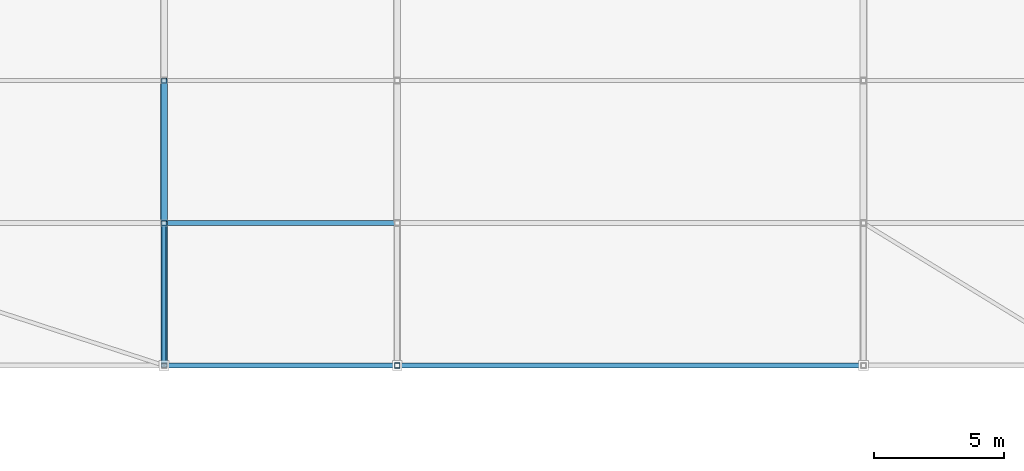
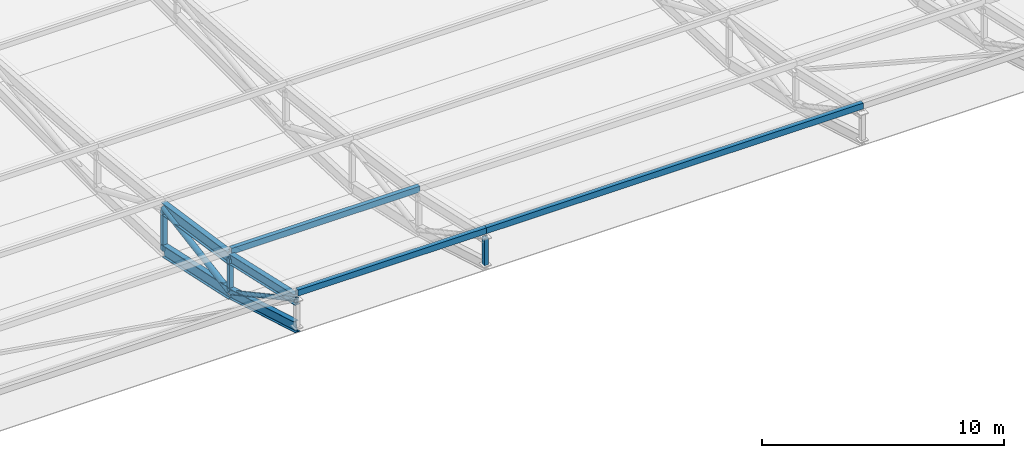
# One storey, part 33 of 114: 8 members, 4 beams.
"""IFC4 building model written with IfcOpenShell, lengths in metres."""

from ifc_helpers import new_model, si_unit, direction, frame, origin, origin_2d, place, context, subcontext, project, spatial, hollow_rectangle, hollow_circle, i_section, extrude, material, material_profile, profile_set, type_object, element, save


model = new_model("IFC4")

# Units and contexts
model_context = context("Model", 3, precision=1e-05, world=origin(), true_north=direction((0.0, 1.0)))
body_context = subcontext(model_context, "Body", "Model", "MODEL_VIEW")
ifc_project = project(units=[si_unit("LENGTHUNIT", "METRE"), si_unit("AREAUNIT", "SQUARE_METRE"), si_unit("VOLUMEUNIT", "CUBIC_METRE"), si_unit("PLANEANGLEUNIT", "RADIAN"), si_unit("MASSUNIT", "GRAM", prefix="KILO"), si_unit("THERMODYNAMICTEMPERATUREUNIT", "KELVIN"), si_unit("POWERUNIT", "WATT")], contexts=[model_context])

# Site, building, storey
site_placement = place(None, origin())
site = spatial("IfcSite", under=ifc_project, at=site_placement, CompositionType="ELEMENT")
building_placement = place(site_placement, origin())
building = spatial("IfcBuilding", under=site, at=building_placement, Name="Sindhuravela Promenade Stadium", CompositionType="ELEMENT")
storey_placement = place(building_placement, frame((0.0, 0.0, 24.0)))
storey = spatial("IfcBuildingStorey", under=building, at=storey_placement, Name="L05", CompositionType="ELEMENT", Elevation=24.0)

# Beams
ifc_material = material(Name="Steel E350 (IS 2062 E350BR)", Category="steel")
ifc_material_profile_1 = material_profile(ifc_material, i_section(OverallWidth=0.25, OverallDepth=0.5, WebThickness=0.010009765625, FlangeThickness=0.0146484375, FilletRadius=0.014892578125, at=origin_2d()), Name="ISWB 500")
ifc_profile_set_1 = profile_set([ifc_material_profile_1], Name="Steel E350 (IS 2062 E350BR)")
beam_type_1 = type_object("IfcBeamType", Name="ST-BM-WB500", PredefinedType="USERDEFINED", material=ifc_profile_set_1)
beam_1_placement = place(storey_placement, frame((72.0, 124.0, 3.169189453125), z_axis=(0.0, -0.9758669805330386, 0.2183658313595103), x_axis=(1.0, 0.0, 0.0)))
element("IfcBeam", 1, at=beam_1_placement, inside=storey, type_object=beam_type_1, Name="Roof truss RT-N02 top chord 5", ObjectType="ROOF TRUSS", PredefinedType="USERDEFINED", context=body_context, shape_type="SweptSolid", body=[
    extrude(i_section(OverallWidth=0.25, OverallDepth=0.5, WebThickness=0.010009765625, FlangeThickness=0.0146484375, FilletRadius=0.014892578125, at=origin_2d()), origin(), (0.0, 0.0, 1.0), 5.635986328125),
])
beam_2_placement = place(storey_placement, frame((72.0, 124.0, 1.419189453125), z_axis=(0.0, -0.9599274278129861, 0.28024869907342015), x_axis=(1.0, 0.0, 0.0)))
element("IfcBeam", 2, at=beam_2_placement, inside=storey, type_object=beam_type_1, Name="Roof truss RT-N02 bottom chord 5", ObjectType="ROOF TRUSS", PredefinedType="USERDEFINED", context=body_context, shape_type="SweptSolid", body=[
    extrude(i_section(OverallWidth=0.25, OverallDepth=0.5, WebThickness=0.010009765625, FlangeThickness=0.0146484375, FilletRadius=0.014892578125, at=origin_2d()), origin(), (0.0, 0.0, 1.0), 5.7294921875),
])
ifc_material_profile_2 = material_profile(ifc_material, i_section(OverallWidth=0.25, OverallDepth=0.60009765625, WebThickness=0.01171875, FlangeThickness=0.023681640625, FilletRadius=0.01708984375, at=origin_2d()), Name="ISWB 600")
ifc_profile_set_2 = profile_set([ifc_material_profile_2], Name="Steel E350 (IS 2062 E350BR)")
beam_type_2 = type_object("IfcBeamType", Name="ST-BM-WB600", PredefinedType="USERDEFINED", material=ifc_profile_set_2)
beam_3_placement = place(storey_placement, frame((72.0, 129.5, 2.3525390625), z_axis=(0.0, -0.9891555530237203, 0.14687168523012892), x_axis=(1.0, 0.0, 0.0)))
element("IfcBeam", 3, at=beam_3_placement, inside=storey, type_object=beam_type_2, Name="Roof truss RT-N02 top chord 4", ObjectType="ROOF TRUSS", PredefinedType="USERDEFINED", context=body_context, shape_type="SweptSolid", body=[
    extrude(i_section(OverallWidth=0.25, OverallDepth=0.60009765625, WebThickness=0.01171875, FlangeThickness=0.023681640625, FilletRadius=0.01708984375, at=origin_2d()), origin(), (0.0, 0.0, 1.0), 5.560302734375),
])
beam_4_placement = place(storey_placement, frame((72.0, 129.5, 0.2275390625), z_axis=(0.0, -0.9773237385626684, 0.21175058451368894), x_axis=(1.0, 0.0, 0.0)))
element("IfcBeam", 4, at=beam_4_placement, inside=storey, type_object=beam_type_2, Name="Roof truss RT-N02 bottom chord 4", ObjectType="ROOF TRUSS", PredefinedType="USERDEFINED", context=body_context, shape_type="SweptSolid", body=[
    extrude(i_section(OverallWidth=0.25, OverallDepth=0.60009765625, WebThickness=0.01171875, FlangeThickness=0.023681640625, FilletRadius=0.01708984375, at=origin_2d()), origin(), (0.0, 0.0, 1.0), 5.627685546875),
])

# Members
ifc_material_profile_3 = material_profile(ifc_material, hollow_circle(Radius=0.109619140625, WallThickness=0.010009765625, at=origin_2d()), Name="CHS 219.1x10")
ifc_profile_set_3 = profile_set([ifc_material_profile_3], Name="Steel E350 (IS 2062 E350BR)")
member_type_1 = type_object("IfcMemberType", Name="ST-MB-CHS219", PredefinedType="BRACE", material=ifc_profile_set_3)
member_1_placement = place(storey_placement, frame((72.0, 124.0, 1.419189453125), z_axis=(0.0, -0.8791884339384995, 0.47647423605979855), x_axis=(1.0, 0.0, 0.0)))
element("IfcMember", 5, at=member_1_placement, inside=storey, type_object=member_type_1, Name="Roof truss RT-N02 diagonal web 5", PredefinedType="BRACE", context=body_context, shape_type="SweptSolid", body=[
    extrude(hollow_circle(Radius=0.109619140625, WallThickness=0.010009765625, at=origin_2d()), origin(), (0.0, 0.0, 1.0), 6.255859375),
])
ifc_material_profile_4 = material_profile(ifc_material, hollow_circle(Radius=0.136474609375, WallThickness=0.010009765625, at=origin_2d()), Name="CHS 273.0x10")
ifc_profile_set_4 = profile_set([ifc_material_profile_4], Name="Steel E350 (IS 2062 E350BR)")
member_type_2 = type_object("IfcMemberType", Name="ST-MB-CHS273", PredefinedType="BRACE", material=ifc_profile_set_4)
member_2_placement = place(storey_placement, frame((72.0, 129.5, 2.3525390625), z_axis=(0.0, -0.9859046851385784, -0.1673079550463772), x_axis=(1.0, 0.0, 0.0)))
element("IfcMember", 6, at=member_2_placement, inside=storey, type_object=member_type_2, Name="Roof truss RT-N02 diagonal web 4", PredefinedType="BRACE", context=body_context, shape_type="SweptSolid", body=[
    extrude(hollow_circle(Radius=0.136474609375, WallThickness=0.010009765625, at=origin_2d()), origin(), (0.0, 0.0, 1.0), 5.57861328125),
])
ifc_material_profile_5 = material_profile(ifc_material, hollow_rectangle(XDim=0.199951171875, YDim=0.300048828125, WallThickness=0.010009765625, at=origin_2d()), Name="RHS 300x200x10")
ifc_profile_set_5 = profile_set([ifc_material_profile_5], Name="Steel E350 (IS 2062 E350BR)")
member_type_3 = type_object("IfcMemberType", Name="ST-MB-RHS300", PredefinedType="PURLIN", material=ifc_profile_set_5)
for number, where, z_axis, x_axis, name in (
    (7, (72.0, 124.0, 3.5361328125), (1.0, 0.0, 0.0), (0.0, 1.0, 0.0), "Roof purlin PR02 N bay 2.5"),
    (8, (72.0, 118.5, 4.76708984375), (1.0, 0.0, 0.0), (0.0, 1.0, 0.0), "Roof purlin PR02 N bay 2.6"),
):
    element("IfcMember", number, at=place(storey_placement, frame(where, z_axis=z_axis, x_axis=x_axis)), inside=storey, type_object=member_type_3, Name=name, PredefinedType="PURLIN", context=body_context, shape_type="SweptSolid", body=[
        extrude(hollow_rectangle(XDim=0.199951171875, YDim=0.300048828125, WallThickness=0.010009765625, at=origin_2d()), origin(), (0.0, 0.0, 1.0), 9.0),
    ])
member_3_placement = place(storey_placement, frame((81.0, 118.5, 4.76708984375), z_axis=(1.0, 0.0, 0.0), x_axis=(0.0, 1.0, 0.0)))
element("IfcMember", 9, at=member_3_placement, inside=storey, type_object=member_type_3, Name="Roof purlin PR02 N bay 3.6", PredefinedType="PURLIN", context=body_context, shape_type="SweptSolid", body=[
    extrude(hollow_rectangle(XDim=0.199951171875, YDim=0.300048828125, WallThickness=0.010009765625, at=origin_2d()), origin(), (0.0, 0.0, 1.0), 18.0),
])
ifc_material_profile_6 = material_profile(ifc_material, hollow_rectangle(XDim=0.199951171875, YDim=0.199951171875, WallThickness=0.010009765625, at=origin_2d()), Name="SHS 200x200x10")
ifc_profile_set_6 = profile_set([ifc_material_profile_6], Name="Steel E350 (IS 2062 E350BR)")
member_type_4 = type_object("IfcMemberType", Name="ST-MB-SHS200", PredefinedType="POST", material=ifc_profile_set_6)
member_4_placement = place(storey_placement, frame((72.0, 129.5, 0.2275390625), z_axis=(0.0, 0.0, 1.0), x_axis=(1.0, 0.0, 0.0)))
element("IfcMember", 10, at=member_4_placement, inside=storey, type_object=member_type_4, Name="Roof truss RT-N02 vertical post 4", PredefinedType="POST", context=body_context, shape_type="SweptSolid", body=[
    extrude(hollow_rectangle(XDim=0.199951171875, YDim=0.199951171875, WallThickness=0.010009765625, at=origin_2d()), origin(), (0.0, 0.0, 1.0), 2.125),
])
member_5_placement = place(storey_placement, frame((72.0, 124.0, 1.419189453125), z_axis=(0.0, 0.0, 1.0), x_axis=(1.0, 0.0, 0.0)))
element("IfcMember", 11, at=member_5_placement, inside=storey, type_object=member_type_4, Name="Roof truss RT-N02 vertical post 5", PredefinedType="POST", context=body_context, shape_type="SweptSolid", body=[
    extrude(hollow_rectangle(XDim=0.199951171875, YDim=0.199951171875, WallThickness=0.010009765625, at=origin_2d()), origin(), (0.0, 0.0, 1.0), 1.75),
])
member_6_placement = place(storey_placement, frame((81.0, 118.5, 3.02490234375), z_axis=(0.0, 0.0, 1.0), x_axis=(1.0, 0.0, 0.0)))
element("IfcMember", 12, at=member_6_placement, inside=storey, type_object=member_type_4, Name="Roof truss RT-N03 vertical post 6", PredefinedType="POST", context=body_context, shape_type="SweptSolid", body=[
    extrude(hollow_rectangle(XDim=0.199951171875, YDim=0.199951171875, WallThickness=0.010009765625, at=origin_2d()), origin(), (0.0, 0.0, 1.0), 1.375),
])

save(model, "model.ifc")
